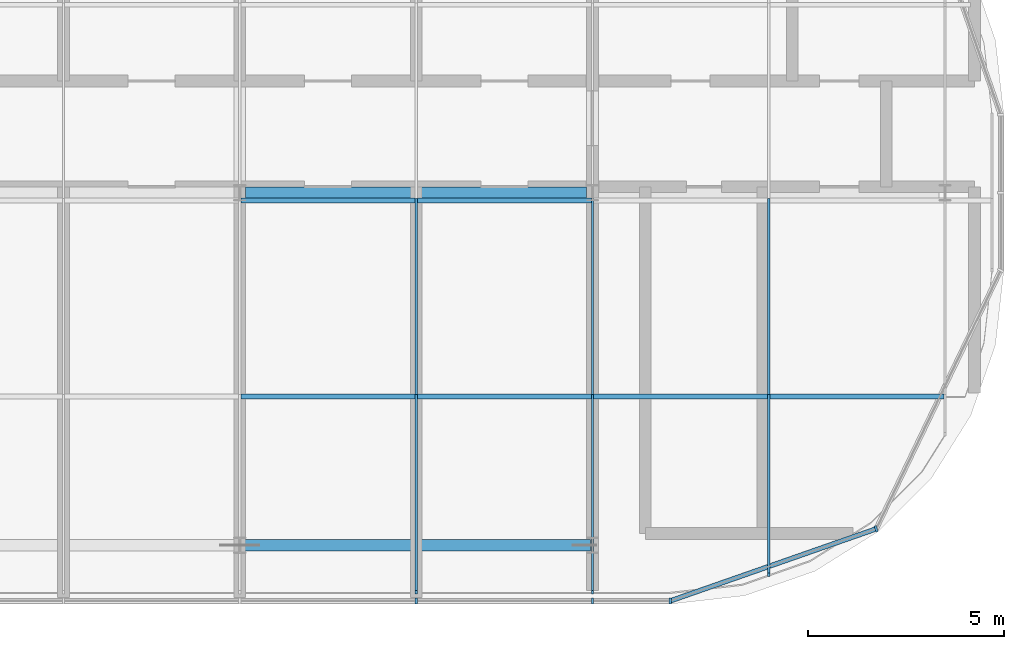
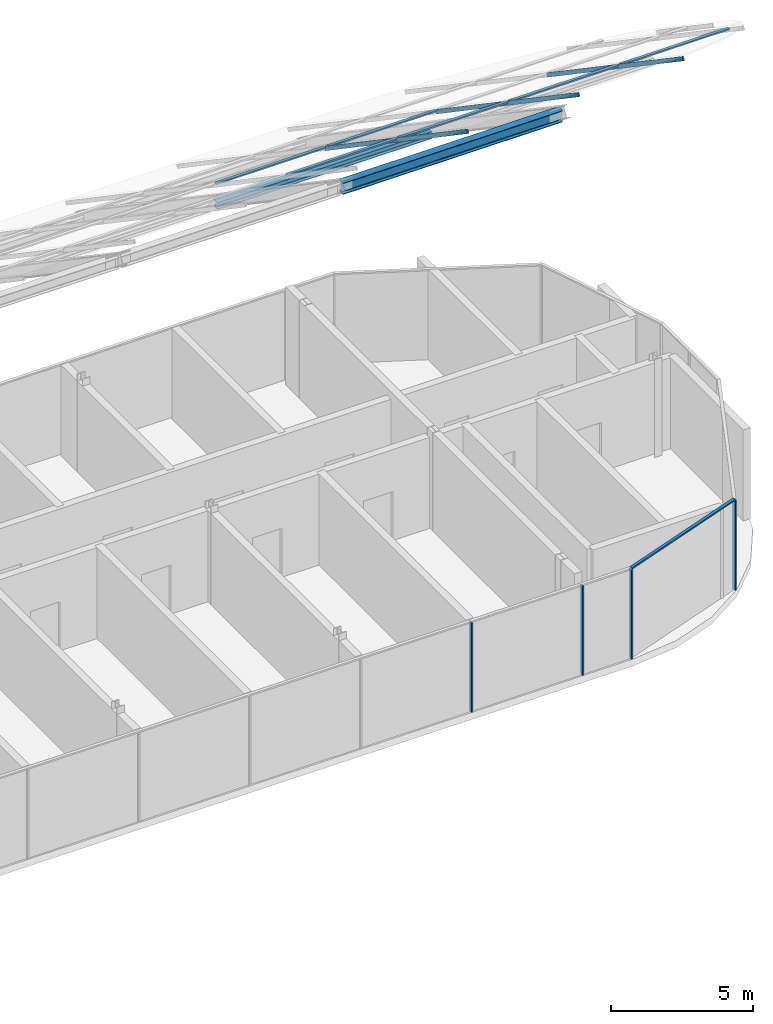
# One storey, part 12 of 25: 19 members, 4 elements without a shape of their own.
"""IFC4 building model written with IfcOpenShell, lengths in metres."""

from ifc_helpers import new_model, si_unit, direction, frame, origin, origin_2d, place, context, subcontext, project, spatial, rectangle, i_section, extrude, material, material_profile, profile_set, type_object, element, aggregate, save


model = new_model("IFC4")

# Units and contexts
model_context = context("Model", 3, precision=1e-05, world=origin(), true_north=direction((0.0, 1.0)))
body_context = subcontext(model_context, "Body", "Model", "MODEL_VIEW")
ifc_project = project(units=[si_unit("LENGTHUNIT", "METRE"), si_unit("AREAUNIT", "SQUARE_METRE"), si_unit("VOLUMEUNIT", "CUBIC_METRE"), si_unit("PLANEANGLEUNIT", "RADIAN"), si_unit("MASSUNIT", "GRAM", prefix="KILO")], contexts=[model_context])

# Site, building, storey
site_placement = place(None, origin())
site = spatial("IfcSite", under=ifc_project, at=site_placement, CompositionType="ELEMENT")
building_placement = place(site_placement, origin())
building = spatial("IfcBuilding", under=site, at=building_placement, Name="Ogive Portal Towers", CompositionType="ELEMENT")
storey_placement = place(building_placement, frame((0.0, 0.0, 272.89990234375)))
storey = spatial("IfcBuildingStorey", under=building, at=storey_placement, Name="L66", CompositionType="ELEMENT", Elevation=272.89990234375)

# Members
ifc_material_1 = material(Name="Steel S355", Category="steel")
ifc_material_profile_1 = material_profile(ifc_material_1, i_section(OverallWidth=0.300048828125, OverallDepth=0.300048828125, WebThickness=0.010986328125, FlangeThickness=0.01904296875, FilletRadius=0.027099609375, at=origin_2d()), Name="HEB 300")
ifc_profile_set_1 = profile_set([ifc_material_profile_1], Name="Steel S355")
member_type_1 = type_object("IfcMemberType", Name="CROWN PURLIN HEB 300", PredefinedType="PURLIN", material=ifc_profile_set_1)
member_1_placement = place(storey_placement, frame((76.64990234375, 30.5, 16.9501953125), z_axis=(1.0, 0.0, 0.0), x_axis=(0.0, 1.0, 0.0)))
element("IfcMember", 1, at=member_1_placement, inside=storey, type_object=member_type_1, Name="Crown purlin", PredefinedType="PURLIN", context=body_context, shape_type="SweptSolid", body=[
    extrude(i_section(OverallWidth=0.300048828125, OverallDepth=0.300048828125, WebThickness=0.010986328125, FlangeThickness=0.01904296875, FilletRadius=0.027099609375, at=origin_2d()), origin(), (0.0, 0.0, 1.0), 8.7001953125),
])
ifc_material_profile_2 = material_profile(ifc_material_1, i_section(OverallWidth=0.300048828125, OverallDepth=0.489990234375, WebThickness=0.011962890625, FlangeThickness=0.02294921875, FilletRadius=0.027099609375, at=origin_2d()), Name="HEA 500")
ifc_profile_set_2 = profile_set([ifc_material_profile_2], Name="Steel S355")
member_type_2 = type_object("IfcMemberType", Name="CROWN RIDGE BEAM HEA 500", PredefinedType="STRUT", material=ifc_profile_set_2)
member_2_placement = place(storey_placement, frame((76.550048828125, 21.5, 23.175048828125), z_axis=(1.0, 0.0, 0.0), x_axis=(0.0, 1.0, 0.0)))
element("IfcMember", 2, at=member_2_placement, inside=storey, type_object=member_type_2, Name="Crown ridge", PredefinedType="STRUT", context=body_context, shape_type="SweptSolid", body=[
    extrude(i_section(OverallWidth=0.300048828125, OverallDepth=0.489990234375, WebThickness=0.011962890625, FlangeThickness=0.02294921875, FilletRadius=0.027099609375, at=origin_2d()), origin(), (0.0, 0.0, 1.0), 8.89990234375),
])

# Curtain wall, members
ifc_material_2 = material(Name="Glass, clear low-iron insulated glazing", Category="glass")
curtain_wall_type = type_object("IfcCurtainWallType", Name="CW CROWN GLAZING", PredefinedType="NOTDEFINED", material=ifc_material_2)
curtain_wall_1_placement = place(storey_placement, origin())
curtain_wall_1 = element("IfcCurtainWall", 3, at=curtain_wall_1_placement, inside=storey, type_object=curtain_wall_type, Name="A:L66:c06:cw", PredefinedType="NOTDEFINED")
ifc_material_3 = material(Name="Aluminium 6063 anodised", Category="aluminium")
ifc_material_profile_3 = material_profile(ifc_material_3, rectangle(XDim=0.159912109375, YDim=0.06005859375, at=origin_2d()), Name="AL 60x160")
ifc_profile_set_3 = profile_set([ifc_material_profile_3], Name="Aluminium 6063 anodised")
member_type_3 = type_object("IfcMemberType", Name="CW MULLION 60x160", PredefinedType="MULLION", material=ifc_profile_set_3)
member_3_placement = place(storey_placement, frame((81.0, 20.080078125, 0.0), z_axis=(0.0, 0.0, 1.0), x_axis=(0.0, 1.0, 0.0)))
member_3 = element("IfcMember", 4, at=member_3_placement, type_object=member_type_3, Name="mullion", PredefinedType="MULLION", context=body_context, shape_type="SweptSolid", body=[
    extrude(rectangle(XDim=0.159912109375, YDim=0.06005859375, at=origin_2d()), origin(), (0.0, 0.0, 1.0), 3.840087890625),
])
member_4_placement = place(storey_placement, frame((85.5, 20.080078125, 0.0), z_axis=(0.0, 0.0, 1.0), x_axis=(0.0, 1.0, 0.0)))
member_4 = element("IfcMember", 5, at=member_4_placement, type_object=member_type_3, Name="mullion", PredefinedType="MULLION", context=body_context, shape_type="SweptSolid", body=[
    extrude(rectangle(XDim=0.159912109375, YDim=0.06005859375, at=origin_2d()), origin(), (0.0, 0.0, 1.0), 3.840087890625),
])
member_5_placement = place(storey_placement, frame((87.486328125, 20.080078125, 0.0), z_axis=(0.0, 0.0, 1.0), x_axis=(0.0, 1.0, 0.0)))
member_5 = element("IfcMember", 6, at=member_5_placement, type_object=member_type_3, Name="mullion", PredefinedType="MULLION", context=body_context, shape_type="SweptSolid", body=[
    extrude(rectangle(XDim=0.159912109375, YDim=0.06005859375, at=origin_2d()), origin(), (0.0, 0.0, 1.0), 3.840087890625),
])
aggregate(curtain_wall_1, [member_3, member_4, member_5])

# Curtain wall, member
curtain_wall_2_placement = place(storey_placement, origin())
curtain_wall_2 = element("IfcCurtainWall", 7, at=curtain_wall_2_placement, inside=storey, type_object=curtain_wall_type, Name="A:L66:c07:cw", PredefinedType="NOTDEFINED")
member_6_placement = place(storey_placement, frame((92.741943359375, 21.9189453125, 0.0), z_axis=(0.0, 0.0, 1.0), x_axis=(-0.33027906196, 0.943883330307, 0.0)))
member_6 = element("IfcMember", 8, at=member_6_placement, type_object=member_type_3, Name="mullion", PredefinedType="MULLION", context=body_context, shape_type="SweptSolid", body=[
    extrude(rectangle(XDim=0.159912109375, YDim=0.06005859375, at=origin_2d()), origin(), (0.0, 0.0, 1.0), 3.840087890625),
])

# Curtain wall, members
curtain_wall_3_placement = place(storey_placement, origin())
curtain_wall_3 = element("IfcCurtainWall", 9, at=curtain_wall_3_placement, inside=storey, type_object=curtain_wall_type, Name="Crown roof glazing 4", PredefinedType="NOTDEFINED")
ifc_material_profile_4 = material_profile(ifc_material_3, rectangle(XDim=0.06005859375, YDim=0.159912109375, at=origin_2d()), Name="AL 60x160 rafter")
ifc_profile_set_4 = profile_set([ifc_material_profile_4], Name="Aluminium 6063 anodised")
member_type_4 = type_object("IfcMemberType", Name="CW ROOF RAFTER 60x160", PredefinedType="MULLION", material=ifc_profile_set_4)
member_7_placement = place(storey_placement, frame((81.0, 20.300048828125, 24.731689453125), z_axis=(0.0, 0.826915237064, -0.562326587236), x_axis=(-1.0, 0.0, 0.0)))
member_7 = element("IfcMember", 10, at=member_7_placement, type_object=member_type_4, Name="roof rafter", PredefinedType="MULLION", context=body_context, shape_type="SweptSolid", body=[
    extrude(rectangle(XDim=0.06005859375, YDim=0.159912109375, at=origin_2d()), origin(), (0.0, 0.0, 1.0), 6.046630859375),
])
member_8_placement = place(storey_placement, frame((81.0, 25.300048828125, 21.33154296875), z_axis=(0.0, 0.82693401206, -0.562298977146), x_axis=(-1.0, 0.0, 0.0)))
member_8 = element("IfcMember", 11, at=member_8_placement, type_object=member_type_4, Name="roof rafter", PredefinedType="MULLION", context=body_context, shape_type="SweptSolid", body=[
    extrude(rectangle(XDim=0.06005859375, YDim=0.159912109375, at=origin_2d()), origin(), (0.0, 0.0, 1.0), 6.04638671875),
])

curtain_wall_4_placement = place(storey_placement, origin())
curtain_wall_4 = element("IfcCurtainWall", 12, at=curtain_wall_4_placement, inside=storey, type_object=curtain_wall_type, Name="Crown roof glazing 5", PredefinedType="NOTDEFINED")
member_9_placement = place(storey_placement, frame((85.5, 20.300048828125, 24.731689453125), z_axis=(0.0, 0.826915237064, -0.562326587236), x_axis=(-1.0, 0.0, 0.0)))
member_9 = element("IfcMember", 13, at=member_9_placement, type_object=member_type_4, Name="roof rafter", PredefinedType="MULLION", context=body_context, shape_type="SweptSolid", body=[
    extrude(rectangle(XDim=0.06005859375, YDim=0.159912109375, at=origin_2d()), origin(), (0.0, 0.0, 1.0), 6.046630859375),
])
member_10_placement = place(storey_placement, frame((85.5, 25.300048828125, 21.33154296875), z_axis=(0.0, 0.82693401206, -0.562298977146), x_axis=(-1.0, 0.0, 0.0)))
member_10 = element("IfcMember", 14, at=member_10_placement, type_object=member_type_4, Name="roof rafter", PredefinedType="MULLION", context=body_context, shape_type="SweptSolid", body=[
    extrude(rectangle(XDim=0.06005859375, YDim=0.159912109375, at=origin_2d()), origin(), (0.0, 0.0, 1.0), 6.04638671875),
])
member_11_placement = place(storey_placement, frame((90.0, 20.743896484375, 24.4296875), z_axis=(0.0, 0.826929798708, -0.562305173379), x_axis=(-1.0, 0.0, 0.0)))
member_11 = element("IfcMember", 15, at=member_11_placement, type_object=member_type_4, Name="roof rafter", PredefinedType="MULLION", context=body_context, shape_type="SweptSolid", body=[
    extrude(rectangle(XDim=0.06005859375, YDim=0.159912109375, at=origin_2d()), origin(), (0.0, 0.0, 1.0), 5.509765625),
])
member_12_placement = place(storey_placement, frame((90.0, 25.300048828125, 21.33154296875), z_axis=(0.0, 0.82693401206, -0.562298977146), x_axis=(-1.0, 0.0, 0.0)))
member_12 = element("IfcMember", 16, at=member_12_placement, type_object=member_type_4, Name="roof rafter", PredefinedType="MULLION", context=body_context, shape_type="SweptSolid", body=[
    extrude(rectangle(XDim=0.06005859375, YDim=0.159912109375, at=origin_2d()), origin(), (0.0, 0.0, 1.0), 6.04638671875),
])

# Member
ifc_material_profile_5 = material_profile(ifc_material_3, rectangle(XDim=0.1201171875, YDim=0.06005859375, at=origin_2d()), Name="AL 120x60")
ifc_profile_set_5 = profile_set([ifc_material_profile_5], Name="Aluminium 6063 anodised")
member_type_5 = type_object("IfcMemberType", Name="CW TRANSOM 60x120", PredefinedType="USERDEFINED", material=ifc_profile_set_5)
member_13_placement = place(storey_placement, frame((87.486328125, 20.080078125, 3.8701171875), z_axis=(0.943891847017, 0.330254721593, 0.0), x_axis=(-0.330254721593, 0.943891847017, 0.0)))
member_13 = element("IfcMember", 17, at=member_13_placement, type_object=member_type_5, Name="transom", ObjectType="TRANSOM", PredefinedType="USERDEFINED", context=body_context, shape_type="SweptSolid", body=[
    extrude(rectangle(XDim=0.1201171875, YDim=0.06005859375, at=origin_2d()), origin(), (0.0, 0.0, 1.0), 5.568115234375),
])

aggregate(curtain_wall_2, [member_13, member_6])

member_14_placement = place(storey_placement, frame((76.530029296875, 25.300048828125, 21.39208984375), z_axis=(1.0, 0.0, 0.0), x_axis=(0.0, 1.0, 0.0)))
member_14 = element("IfcMember", 18, at=member_14_placement, type_object=member_type_5, Name="roof transom", ObjectType="TRANSOM", PredefinedType="USERDEFINED", context=body_context, shape_type="SweptSolid", body=[
    extrude(rectangle(XDim=0.1201171875, YDim=0.06005859375, at=origin_2d()), origin(), (0.0, 0.0, 1.0), 4.43994140625),
])

member_15_placement = place(storey_placement, frame((76.530029296875, 30.300048828125, 17.9921875), z_axis=(1.0, 0.0, 0.0), x_axis=(0.0, 1.0, 0.0)))
member_15 = element("IfcMember", 19, at=member_15_placement, type_object=member_type_5, Name="roof transom", ObjectType="TRANSOM", PredefinedType="USERDEFINED", context=body_context, shape_type="SweptSolid", body=[
    extrude(rectangle(XDim=0.1201171875, YDim=0.06005859375, at=origin_2d()), origin(), (0.0, 0.0, 1.0), 4.43994140625),
])

aggregate(curtain_wall_3, [member_7, member_8, member_14, member_15])

member_16_placement = place(storey_placement, frame((81.030029296875, 25.300048828125, 21.39208984375), z_axis=(1.0, 0.0, 0.0), x_axis=(0.0, 1.0, 0.0)))
member_16 = element("IfcMember", 20, at=member_16_placement, type_object=member_type_5, Name="roof transom", ObjectType="TRANSOM", PredefinedType="USERDEFINED", context=body_context, shape_type="SweptSolid", body=[
    extrude(rectangle(XDim=0.1201171875, YDim=0.06005859375, at=origin_2d()), origin(), (0.0, 0.0, 1.0), 4.43994140625),
])

member_17_placement = place(storey_placement, frame((85.530029296875, 25.300048828125, 21.39208984375), z_axis=(1.0, 0.0, 0.0), x_axis=(0.0, 1.0, 0.0)))
member_17 = element("IfcMember", 21, at=member_17_placement, type_object=member_type_5, Name="roof transom", ObjectType="TRANSOM", PredefinedType="USERDEFINED", context=body_context, shape_type="SweptSolid", body=[
    extrude(rectangle(XDim=0.1201171875, YDim=0.06005859375, at=origin_2d()), origin(), (0.0, 0.0, 1.0), 4.43994140625),
])

member_18_placement = place(storey_placement, frame((90.030029296875, 25.300048828125, 21.39208984375), z_axis=(1.0, 0.0, 0.0), x_axis=(0.0, 1.0, 0.0)))
member_18 = element("IfcMember", 22, at=member_18_placement, type_object=member_type_5, Name="roof transom", ObjectType="TRANSOM", PredefinedType="USERDEFINED", context=body_context, shape_type="SweptSolid", body=[
    extrude(rectangle(XDim=0.1201171875, YDim=0.06005859375, at=origin_2d()), origin(), (0.0, 0.0, 1.0), 4.43994140625),
])

member_19_placement = place(storey_placement, frame((81.030029296875, 30.300048828125, 17.9921875), z_axis=(1.0, 0.0, 0.0), x_axis=(0.0, 1.0, 0.0)))
member_19 = element("IfcMember", 23, at=member_19_placement, type_object=member_type_5, Name="roof transom", ObjectType="TRANSOM", PredefinedType="USERDEFINED", context=body_context, shape_type="SweptSolid", body=[
    extrude(rectangle(XDim=0.1201171875, YDim=0.06005859375, at=origin_2d()), origin(), (0.0, 0.0, 1.0), 4.43994140625),
])

aggregate(curtain_wall_4, [member_9, member_10, member_11, member_12, member_16, member_17, member_18, member_19])

save(model, "model.ifc")
